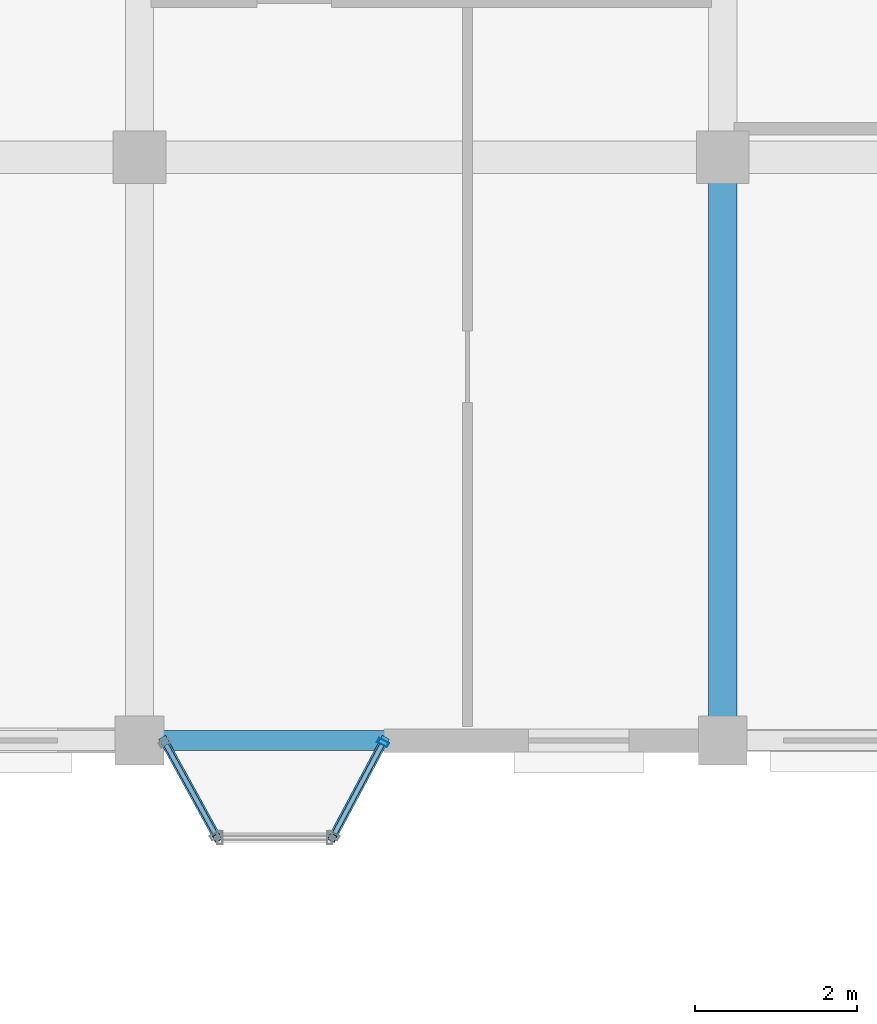
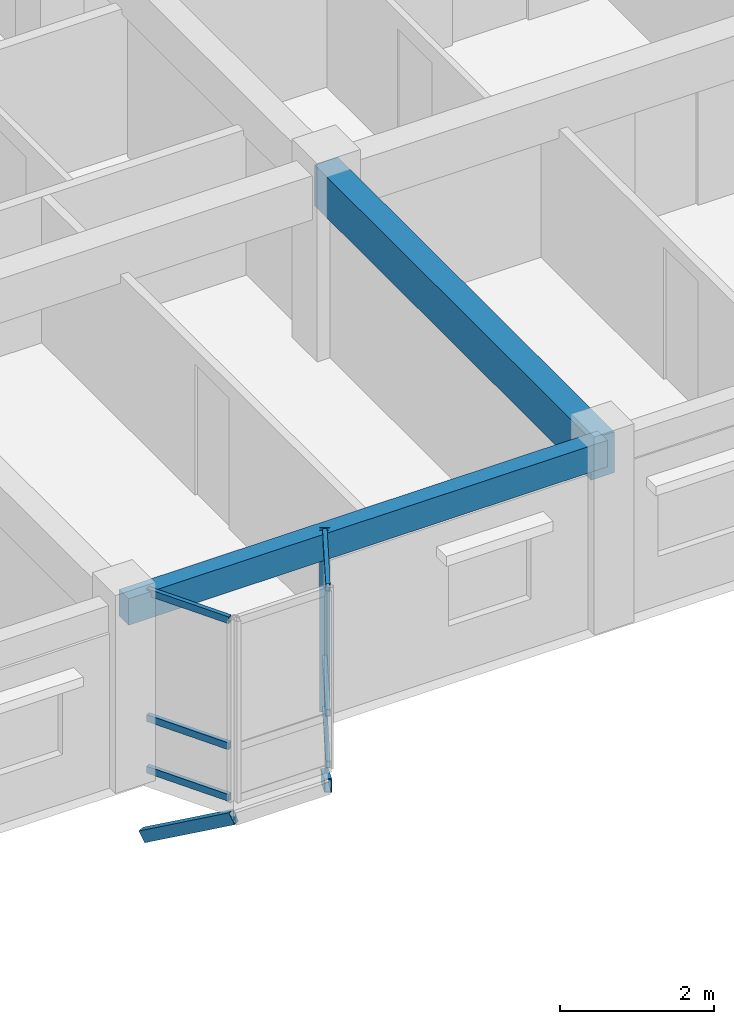
# One storey, part 59 of 124: 9 members, 2 beams, 2 elements without a shape of their own.
"""IFC4 building model written with IfcOpenShell, lengths in metres."""

from ifc_helpers import new_model, si_unit, direction, frame, origin, origin_2d, place, context, subcontext, project, spatial, rectangle, hollow_rectangle, extrude, material, layer, layer_set, material_profile, profile_set, type_object, element, aggregate, save


model = new_model("IFC4")

# Units and contexts
model_context = context("Model", 3, precision=1e-05, world=origin(), true_north=direction((0.0, 1.0)))
body_context = subcontext(model_context, "Body", "Model", "MODEL_VIEW")
ifc_project = project(units=[si_unit("LENGTHUNIT", "METRE"), si_unit("AREAUNIT", "SQUARE_METRE"), si_unit("VOLUMEUNIT", "CUBIC_METRE"), si_unit("PLANEANGLEUNIT", "RADIAN"), si_unit("MASSUNIT", "GRAM", prefix="KILO"), si_unit("THERMODYNAMICTEMPERATUREUNIT", "KELVIN"), si_unit("POWERUNIT", "WATT")], contexts=[model_context])

# Site, building, storey
site_placement = place(None, origin())
site = spatial("IfcSite", under=ifc_project, at=site_placement, CompositionType="ELEMENT")
building_placement = place(site_placement, origin())
building = spatial("IfcBuilding", under=site, at=building_placement, Name="Tavuni Mirador Residences", CompositionType="ELEMENT")
storey_placement = place(building_placement, frame((0.0, 0.0, 7.64990234375)))
storey = spatial("IfcBuildingStorey", under=building, at=storey_placement, Name="L02", CompositionType="ELEMENT", Elevation=7.64990234375)

# Beams
ifc_material_1 = material(Name="Precast concrete C40/50", Category="concrete")
ifc_material_profile_1 = material_profile(ifc_material_1, rectangle(XDim=0.35009765625, YDim=0.64990234375, at=origin_2d()), Name="PC 350x650", Category="concrete")
ifc_profile_set_1 = profile_set([ifc_material_profile_1], Name="Precast concrete C40/50")
beam_type_1 = type_object("IfcBeamType", Name="BT-B650", PredefinedType="BEAM", material=ifc_profile_set_1)
beam_1_placement = place(storey_placement, frame((25.199951171875, 144.0, 2.56005859375), z_axis=(0.0, 1.0, 0.0), x_axis=(-1.0, 0.0, 0.0)))
element("IfcBeam", 1, at=beam_1_placement, inside=storey, type_object=beam_type_1, Name="BMY-BLK-C-L02-02-00", PredefinedType="BEAM", context=body_context, shape_type="SweptSolid", body=[
    extrude(rectangle(XDim=0.35009765625, YDim=0.64990234375, at=origin_2d()), origin(), (0.0, 0.0, 1.0), 7.199951171875),
])
ifc_material_profile_2 = material_profile(ifc_material_1, rectangle(XDim=0.25, YDim=0.419921875, at=origin_2d()), Name="PC 250x420", Category="concrete")
ifc_profile_set_2 = profile_set([ifc_material_profile_2], Name="Precast concrete C40/50")
beam_type_2 = type_object("IfcBeamType", Name="BT-SP420", PredefinedType="SPANDREL", material=ifc_profile_set_2)
beam_2_placement = place(storey_placement, frame((18.0, 144.0, 2.675048828125), z_axis=(1.0, 0.0, 0.0), x_axis=(0.0, 1.0, 0.0)))
element("IfcBeam", 2, at=beam_2_placement, inside=storey, type_object=beam_type_2, Name="BMX-BLK-C-L02-01-00", PredefinedType="SPANDREL", context=body_context, shape_type="SweptSolid", body=[
    extrude(rectangle(XDim=0.25, YDim=0.419921875, at=origin_2d()), origin(), (0.0, 0.0, 1.0), 7.199951171875),
])

# Curtain wall, member
ifc_material_2 = material(Name="Anodised aluminium", Category="aluminium")
ifc_layer_1 = layer(ifc_material_2, 0.175048828125, Name="Anodised aluminium", Category="aluminium")
ifc_layer_set_1 = layer_set([ifc_layer_1], Name="Anodised aluminium")
curtain_wall_type_1 = type_object("IfcCurtainWallType", Name="CWT-MIR-C", PredefinedType="NOTDEFINED", material=ifc_layer_set_1)
curtain_wall_1_placement = place(storey_placement, origin())
curtain_wall_1 = element("IfcCurtainWall", 3, at=curtain_wall_1_placement, inside=storey, type_object=curtain_wall_type_1, Name="CW-MIR-C-S1-L02-M2", PredefinedType="NOTDEFINED")
ifc_material_profile_3 = material_profile(ifc_material_2, hollow_rectangle(XDim=0.06005859375, YDim=0.139892578125, WallThickness=0.00390625, at=origin_2d()), Name="ALU 60x140x4.0", Category="aluminium")
ifc_profile_set_3 = profile_set([ifc_material_profile_3], Name="Anodised aluminium")
member_type_1 = type_object("IfcMemberType", Name="CWM-140", PredefinedType="MULLION", material=ifc_profile_set_3)
member_1_placement = place(storey_placement, frame((21.005859375, 143.9736328125, 0.0), z_axis=(0.0, 0.0, 1.0), x_axis=(0.470588235296, 0.882352941175, 0.0)))
member_1 = element("IfcMember", 4, at=member_1_placement, type_object=member_type_1, Name="CW-03 mullion 2", PredefinedType="MULLION", context=body_context, shape_type="SweptSolid", body=[
    extrude(hollow_rectangle(XDim=0.06005859375, YDim=0.139892578125, WallThickness=0.00390625, at=origin_2d()), origin(), (0.0, 0.0, 1.0), 2.885009765625),
])

# Curtain wall, members
ifc_layer_2 = layer(ifc_material_2, 0.1650390625, Name="Anodised aluminium", Category="aluminium")
ifc_layer_set_2 = layer_set([ifc_layer_2], Name="Anodised aluminium")
curtain_wall_type_2 = type_object("IfcCurtainWallType", Name="CWT-MIR-A", PredefinedType="NOTDEFINED", material=ifc_layer_set_2)
curtain_wall_2_placement = place(storey_placement, origin())
curtain_wall_2 = element("IfcCurtainWall", 5, at=curtain_wall_2_placement, inside=storey, type_object=curtain_wall_type_2, Name="CW-MIR-C-S1-L02-M1", PredefinedType="NOTDEFINED")
ifc_material_profile_4 = material_profile(ifc_material_2, hollow_rectangle(XDim=0.06005859375, YDim=0.110107421875, WallThickness=0.00390625, at=origin_2d()), Name="ALU 60x110x4.0", Category="aluminium")
ifc_profile_set_4 = profile_set([ifc_material_profile_4], Name="Anodised aluminium")
member_type_2 = type_object("IfcMemberType", Name="CWT-110", PredefinedType="USERDEFINED", material=ifc_profile_set_4)
member_2_placement = place(storey_placement, frame((18.328857421875, 143.947509765625, 0.030029296875), z_axis=(0.481956246695, -0.876195284324, 0.0), x_axis=(0.876195284324, 0.481956246695, 0.0)))
member_2 = element("IfcMember", 6, at=member_2_placement, type_object=member_type_2, Name="CW-01 transom 1.1", ObjectType="TRANSOM", PredefinedType="USERDEFINED", context=body_context, shape_type="SweptSolid", body=[
    extrude(hollow_rectangle(XDim=0.06005859375, YDim=0.110107421875, WallThickness=0.00390625, at=origin_2d()), origin(), (0.0, 0.0, 1.0), 1.249755859375),
])
member_3_placement = place(storey_placement, frame((18.328857421875, 143.947509765625, 0.85009765625), z_axis=(0.481956246695, -0.876195284324, 0.0), x_axis=(0.876195284324, 0.481956246695, 0.0)))
member_3 = element("IfcMember", 7, at=member_3_placement, type_object=member_type_2, Name="CW-01 transom 1.2", ObjectType="TRANSOM", PredefinedType="USERDEFINED", context=body_context, shape_type="SweptSolid", body=[
    extrude(hollow_rectangle(XDim=0.06005859375, YDim=0.110107421875, WallThickness=0.00390625, at=origin_2d()), origin(), (0.0, 0.0, 1.0), 1.249755859375),
])
member_4_placement = place(storey_placement, frame((18.328857421875, 143.947509765625, 2.85498046875), z_axis=(0.481956246695, -0.876195284324, 0.0), x_axis=(0.876195284324, 0.481956246695, 0.0)))
member_4 = element("IfcMember", 8, at=member_4_placement, type_object=member_type_2, Name="CW-01 transom 1.3", ObjectType="TRANSOM", PredefinedType="USERDEFINED", context=body_context, shape_type="SweptSolid", body=[
    extrude(hollow_rectangle(XDim=0.06005859375, YDim=0.110107421875, WallThickness=0.00390625, at=origin_2d()), origin(), (0.0, 0.0, 1.0), 1.249755859375),
])
aggregate(curtain_wall_2, [member_2, member_3, member_4])

# Member
member_5_placement = place(storey_placement, frame((20.408203125, 142.85302734375, 0.030029296875), z_axis=(0.470608675382, 0.882342039492, 0.0), x_axis=(-0.882342039492, 0.470608675382, 0.0)))
member_5 = element("IfcMember", 9, at=member_5_placement, type_object=member_type_2, Name="CW-03 transom 1.1", ObjectType="TRANSOM", PredefinedType="USERDEFINED", context=body_context, shape_type="SweptSolid", body=[
    extrude(hollow_rectangle(XDim=0.06005859375, YDim=0.110107421875, WallThickness=0.00390625, at=origin_2d()), origin(), (0.0, 0.0, 1.0), 1.239990234375),
])

member_6_placement = place(storey_placement, frame((20.408203125, 142.85302734375, 0.85009765625), z_axis=(0.470608675382, 0.882342039492, 0.0), x_axis=(-0.882342039492, 0.470608675382, 0.0)))
member_6 = element("IfcMember", 10, at=member_6_placement, type_object=member_type_2, Name="CW-03 transom 1.2", ObjectType="TRANSOM", PredefinedType="USERDEFINED", context=body_context, shape_type="SweptSolid", body=[
    extrude(hollow_rectangle(XDim=0.06005859375, YDim=0.110107421875, WallThickness=0.00390625, at=origin_2d()), origin(), (0.0, 0.0, 1.0), 1.239990234375),
])

member_7_placement = place(storey_placement, frame((20.408203125, 142.85302734375, 2.85498046875), z_axis=(0.470608675382, 0.882342039492, 0.0), x_axis=(-0.882342039492, 0.470608675382, 0.0)))
member_7 = element("IfcMember", 11, at=member_7_placement, type_object=member_type_2, Name="CW-03 transom 1.3", ObjectType="TRANSOM", PredefinedType="USERDEFINED", context=body_context, shape_type="SweptSolid", body=[
    extrude(hollow_rectangle(XDim=0.06005859375, YDim=0.110107421875, WallThickness=0.00390625, at=origin_2d()), origin(), (0.0, 0.0, 1.0), 1.239990234375),
])

aggregate(curtain_wall_1, [member_1, member_5, member_6, member_7])

# Members
ifc_material_3 = material(Name="Structural steel S355", Category="steel")
ifc_material_profile_5 = material_profile(ifc_material_3, hollow_rectangle(XDim=0.10009765625, YDim=0.179931640625, WallThickness=0.008056640625, at=origin_2d()), Name="RHS 180x100x8.0", Category="steel")
ifc_profile_set_5 = profile_set([ifc_material_profile_5], Name="Structural steel S355")
member_type_3 = type_object("IfcMemberType", Name="MT-BR-RHS180", PredefinedType="BRACE", material=ifc_profile_set_5)
member_8_placement = place(storey_placement, frame((18.300048828125, 144.0, -1.0498046875), z_axis=(0.4180802733, -0.760216257222, 0.497272689108), x_axis=(0.876234728108, 0.481884531043, 0.0)))
element("IfcMember", 12, at=member_8_placement, inside=storey, type_object=member_type_3, Name="MBRK-MIR-C-S1-L02-1", PredefinedType="BRACE", context=body_context, shape_type="SweptSolid", body=[
    extrude(hollow_rectangle(XDim=0.10009765625, YDim=0.179931640625, WallThickness=0.008056640625, at=origin_2d()), origin(), (0.0, 0.0, 1.0), 1.578369140625),
])
member_9_placement = place(storey_placement, frame((21.02001953125, 144.0, -1.0498046875), z_axis=(-0.407660536563, -0.76416915988, 0.499858361956), x_axis=(0.882303244255, -0.470681405175, 0.0)))
element("IfcMember", 13, at=member_9_placement, inside=storey, type_object=member_type_3, Name="MBRK-MIR-C-S1-L02-2", PredefinedType="BRACE", context=body_context, shape_type="SweptSolid", body=[
    extrude(hollow_rectangle(XDim=0.10009765625, YDim=0.179931640625, WallThickness=0.008056640625, at=origin_2d()), origin(), (0.0, 0.0, 1.0), 1.5703125),
])

save(model, "model.ifc")
